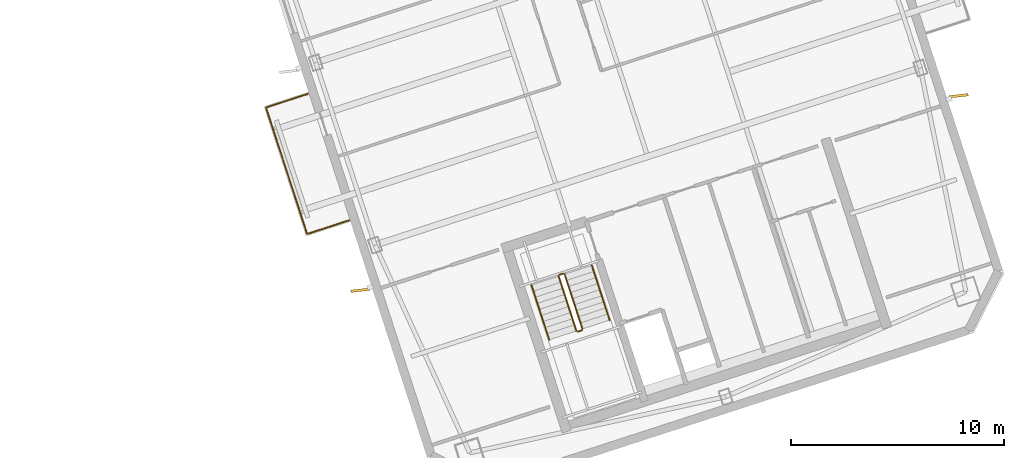
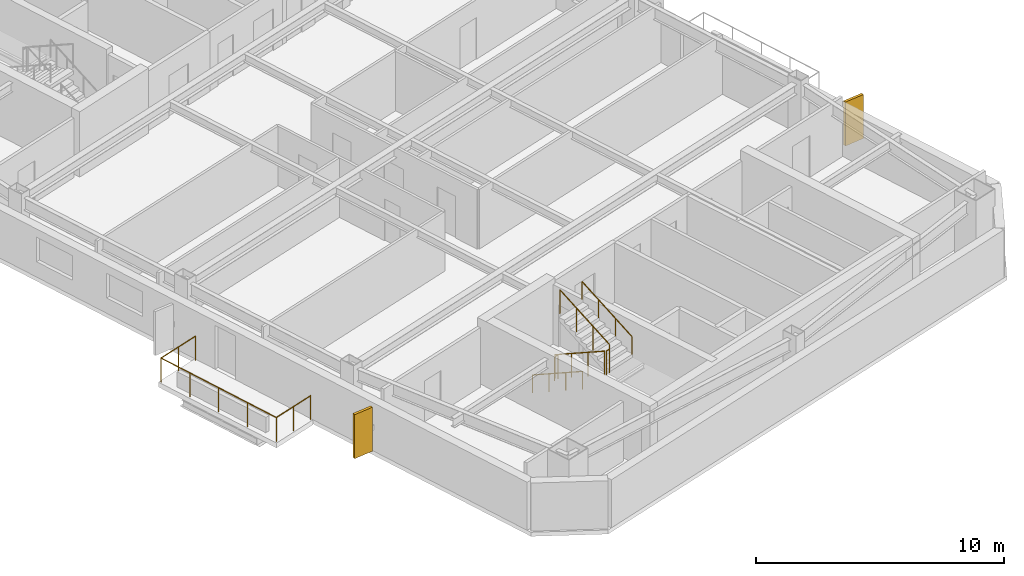
# One storey, part 17 of 18: 7 railings, 2 shading devices.
"""IFC4 building model written with IfcOpenShell, lengths in metres."""

from ifc_helpers import new_model, si_unit, direction, frame, origin, origin_2d, place, context, subcontext, project, spatial, rectangle, circle, extrude, material, layer, layer_set, type_object, element, save


model = new_model("IFC4")

# Units and contexts
model_context = context("Model", 3, precision=1e-05, world=origin(), true_north=direction((0.0, 1.0)))
body_context = subcontext(model_context, "Body", "Model", "MODEL_VIEW")
ifc_project = project(units=[si_unit("LENGTHUNIT", "METRE"), si_unit("AREAUNIT", "SQUARE_METRE"), si_unit("VOLUMEUNIT", "CUBIC_METRE"), si_unit("PLANEANGLEUNIT", "RADIAN"), si_unit("MASSUNIT", "GRAM", prefix="KILO")], contexts=[model_context])

# Site, building, storey
site_placement = place(None, origin())
site = spatial("IfcSite", under=ifc_project, at=site_placement, CompositionType="ELEMENT")
building_placement = place(site_placement, origin())
building = spatial("IfcBuilding", under=site, at=building_placement, Name="Qiaolan Cultural Towers", CompositionType="ELEMENT")
storey_placement = place(building_placement, frame((0.0, 0.0, 237.60009765625)))
storey = spatial("IfcBuildingStorey", under=building, at=storey_placement, Name="L64", CompositionType="ELEMENT", Elevation=237.60009765625)

# Railings
ifc_material_1 = material(Name="Laminated SentryGlas & Stainless Steel S31608 Balustrade", Category="steel")
railing_type_1 = type_object("IfcRailingType", Name="GRD-TERR-1200", PredefinedType="BALUSTRADE", material=ifc_material_1)
railing_1_placement = place(storey_placement, frame((78.771240234375, 22.444580078125, 0.0)))
element("IfcRailing", 1, at=railing_1_placement, inside=storey, type_object=railing_type_1, Name="L64 T2 Tree Balcony Guardrail W", PredefinedType="BALUSTRADE", context=body_context, shape_type="SweptSolid", body=[
    extrude(circle(Radius=0.02392578125, at=origin_2d()), frame((0.0, 0.0, 1.17578125), z_axis=(-0.951061799618, -0.309000733507, 0.0), x_axis=(0.309000733507, -0.951061799618, 0.0)), (0.0, 0.0, 1.0), 2.070068359375),
    extrude(circle(Radius=0.02392578125, at=origin_2d()), frame((-1.96875, -0.6396484375, 1.17578125), z_axis=(-0.30901175762, 0.951058217804, 0.0), x_axis=(-0.951058217804, -0.30901175762, 0.0)), (0.0, 0.0, 1.0), 6.239990234375),
    extrude(circle(Radius=0.02392578125, at=origin_2d()), frame((-3.89697265625, 5.294921875, 1.17578125), z_axis=(0.951061799618, 0.309000733507, 0.0), x_axis=(-0.309000733507, 0.951061799618, 0.0)), (0.0, 0.0, 1.0), 2.070068359375),
    extrude(circle(Radius=0.02099609375, at=origin_2d()), origin(), (0.0, 0.0, 1.0), 1.15185546875),
    extrude(circle(Radius=0.02099609375, at=origin_2d()), frame((-0.984375, -0.31982421875, 0.0)), (0.0, 0.0, 1.0), 1.15185546875),
    extrude(circle(Radius=0.02099609375, at=origin_2d()), frame((-1.96875, -0.6396484375, 0.0)), (0.0, 0.0, 1.0), 1.15185546875),
    extrude(circle(Radius=0.02099609375, at=origin_2d()), frame((-2.45068359375, 0.843994140625, 0.0)), (0.0, 0.0, 1.0), 1.15185546875),
    extrude(circle(Radius=0.02099609375, at=origin_2d()), frame((-2.932861328125, 2.32763671875, 0.0)), (0.0, 0.0, 1.0), 1.15185546875),
    extrude(circle(Radius=0.02099609375, at=origin_2d()), frame((-3.4150390625, 3.811279296875, 0.0)), (0.0, 0.0, 1.0), 1.15185546875),
    extrude(circle(Radius=0.02099609375, at=origin_2d()), frame((-3.89697265625, 5.294921875, 0.0)), (0.0, 0.0, 1.0), 1.15185546875),
    extrude(circle(Radius=0.02099609375, at=origin_2d()), frame((-2.91259765625, 5.61474609375, 0.0)), (0.0, 0.0, 1.0), 1.15185546875),
    extrude(circle(Radius=0.02099609375, at=origin_2d()), frame((-1.92822265625, 5.9345703125, 0.0)), (0.0, 0.0, 1.0), 1.15185546875),
])
ifc_material_2 = material(Name="Galvanized Painted Steel Stair Guardrail", Category="steel")
railing_type_2 = type_object("IfcRailingType", Name="RL-STAIR-GRD", PredefinedType="GUARDRAIL", material=ifc_material_2)
railing_2_placement = place(storey_placement, frame((88.60205078125, 19.82421875, 0.159912109375)))
element("IfcRailing", 2, at=railing_2_placement, inside=storey, type_object=railing_type_2, Name="L64 ST-E1 stair guard 1", PredefinedType="GUARDRAIL", context=body_context, shape_type="SweptSolid", body=[
    extrude(circle(Radius=0.02392578125, at=origin_2d()), frame((0.0, 0.0, 1.17578125), z_axis=(0.272701475514, -0.839167384275, 0.470565623926), x_axis=(0.951043371037, 0.309057448393, 0.0)), (0.0, 0.0, 1.0), 3.06005859375),
    extrude(circle(Radius=0.02099609375, at=origin_2d()), origin(), (0.0, 0.0, 1.0), 1.15185546875),
    extrude(circle(Radius=0.02099609375, at=origin_2d()), frame((0.278076171875, -0.85595703125, 0.47998046875)), (0.0, 0.0, 1.0), 1.15185546875),
    extrude(circle(Radius=0.02099609375, at=origin_2d()), frame((0.556396484375, -1.7119140625, 0.9599609375)), (0.0, 0.0, 1.0), 1.15185546875),
    extrude(circle(Radius=0.02099609375, at=origin_2d()), frame((0.83447265625, -2.56787109375, 1.43994140625)), (0.0, 0.0, 1.0), 1.15185546875),
])
railing_3_placement = place(storey_placement, frame((89.49951171875, 17.224365234375, 1.599853515625)))
element("IfcRailing", 3, at=railing_3_placement, inside=storey, type_object=railing_type_2, Name="L64 ST-E1 stair guard 2", PredefinedType="GUARDRAIL", context=body_context, shape_type="SweptSolid", body=[
    extrude(circle(Radius=0.02392578125, at=origin_2d()), frame((0.0, 0.0, 1.17578125), z_axis=(0.951096855055, 0.308892816854, 0.0), x_axis=(-0.308892816854, 0.951096855055, 0.0)), (0.0, 0.0, 1.0), 0.199951171875),
    extrude(circle(Radius=0.02099609375, at=origin_2d()), origin(), (0.0, 0.0, 1.0), 1.15185546875),
    extrude(circle(Radius=0.02099609375, at=origin_2d()), frame((0.190185546875, 0.061767578125, 0.0)), (0.0, 0.0, 1.0), 1.15185546875),
])
railing_4_placement = place(storey_placement, frame((89.721923828125, 17.34912109375, 1.760009765625)))
element("IfcRailing", 4, at=railing_4_placement, inside=storey, type_object=railing_type_2, Name="L64 ST-E1 stair guard 3", PredefinedType="GUARDRAIL", context=body_context, shape_type="SweptSolid", body=[
    extrude(circle(Radius=0.02392578125, at=origin_2d()), frame((0.0, 0.0, 1.17578125), z_axis=(-0.272701475514, 0.839167384275, 0.470565623926), x_axis=(-0.951043371037, -0.309057448393, 0.0)), (0.0, 0.0, 1.0), 3.06005859375),
    extrude(circle(Radius=0.02099609375, at=origin_2d()), origin(), (0.0, 0.0, 1.0), 1.15185546875),
    extrude(circle(Radius=0.02099609375, at=origin_2d()), frame((-0.278076171875, 0.85595703125, 0.47998046875)), (0.0, 0.0, 1.0), 1.15185546875),
    extrude(circle(Radius=0.02099609375, at=origin_2d()), frame((-0.556396484375, 1.7119140625, 0.9599609375)), (0.0, 0.0, 1.0), 1.15185546875),
    extrude(circle(Radius=0.02099609375, at=origin_2d()), frame((-0.83447265625, 2.56787109375, 1.43994140625)), (0.0, 0.0, 1.0), 1.15185546875),
])
railing_5_placement = place(storey_placement, frame((88.63427734375, 19.88720703125, 0.0)))
element("IfcRailing", 5, at=railing_5_placement, inside=storey, type_object=railing_type_2, Name="L64 ST-E1 stair guard 4", PredefinedType="GUARDRAIL", context=body_context, shape_type="SweptSolid", body=[
    extrude(circle(Radius=0.02392578125, at=origin_2d()), frame((0.0, 0.0, 1.17578125), z_axis=(0.951096855055, 0.308892816854, 0.0), x_axis=(-0.308892816854, 0.951096855055, 0.0)), (0.0, 0.0, 1.0), 0.199951171875),
    extrude(circle(Radius=0.02099609375, at=origin_2d()), origin(), (0.0, 0.0, 1.0), 1.15185546875),
    extrude(circle(Radius=0.02099609375, at=origin_2d()), frame((0.190185546875, 0.061767578125, 0.0)), (0.0, 0.0, 1.0), 1.15185546875),
])
ifc_material_3 = material(Name="Stainless Steel S30408 Tubular Handrail", Category="steel")
railing_type_3 = type_object("IfcRailingType", Name="RL-STAIR-HR", PredefinedType="HANDRAIL", material=ifc_material_3)
railing_6_placement = place(storey_placement, frame((87.32763671875, 19.41015625, 0.159912109375)))
element("IfcRailing", 6, at=railing_6_placement, inside=storey, type_object=railing_type_3, Name="L64 ST-E1 stair handrail 1", PredefinedType="HANDRAIL", context=body_context, shape_type="SweptSolid", body=[
    extrude(circle(Radius=0.02392578125, at=origin_2d()), frame((0.0, 0.0, 0.8759765625), z_axis=(0.272701475514, -0.839167384275, 0.470565623926), x_axis=(0.951043371037, 0.309057448393, 0.0)), (0.0, 0.0, 1.0), 3.06005859375),
    extrude(circle(Radius=0.02099609375, at=origin_2d()), origin(), (0.0, 0.0, 1.0), 0.851806640625),
    extrude(circle(Radius=0.02099609375, at=origin_2d()), frame((0.278076171875, -0.85595703125, 0.47998046875)), (0.0, 0.0, 1.0), 0.851806640625),
    extrude(circle(Radius=0.02099609375, at=origin_2d()), frame((0.556396484375, -1.7119140625, 0.9599609375)), (0.0, 0.0, 1.0), 0.851806640625),
    extrude(circle(Radius=0.02099609375, at=origin_2d()), frame((0.83447265625, -2.56787109375, 1.43994140625)), (0.0, 0.0, 1.0), 0.851806640625),
])
railing_7_placement = place(storey_placement, frame((90.996337890625, 17.76318359375, 1.760009765625)))
element("IfcRailing", 7, at=railing_7_placement, inside=storey, type_object=railing_type_3, Name="L64 ST-E1 stair handrail 2", PredefinedType="HANDRAIL", context=body_context, shape_type="SweptSolid", body=[
    extrude(circle(Radius=0.02392578125, at=origin_2d()), frame((0.0, 0.0, 0.8759765625), z_axis=(-0.272701475514, 0.839167384275, 0.470565623926), x_axis=(-0.951043371037, -0.309057448393, 0.0)), (0.0, 0.0, 1.0), 3.06005859375),
    extrude(circle(Radius=0.02099609375, at=origin_2d()), origin(), (0.0, 0.0, 1.0), 0.851806640625),
    extrude(circle(Radius=0.02099609375, at=origin_2d()), frame((-0.278076171875, 0.85595703125, 0.47998046875)), (0.0, 0.0, 1.0), 0.851806640625),
    extrude(circle(Radius=0.02099609375, at=origin_2d()), frame((-0.556396484375, 1.7119140625, 0.9599609375)), (0.0, 0.0, 1.0), 0.851806640625),
    extrude(circle(Radius=0.02099609375, at=origin_2d()), frame((-0.83447265625, 2.56787109375, 1.43994140625)), (0.0, 0.0, 1.0), 0.851806640625),
])

# Shading devices
ifc_material_4 = material(Name="Light Limestone Precast Vertical Fin", Category="masonry")
ifc_layer = layer(ifc_material_4, 0.1201171875)
ifc_layer_set = layer_set([ifc_layer], Name="Light Limestone Precast Vertical Fin")
shading_device_type = type_object("IfcShadingDeviceType", Name="SHD-FIN-WHITE", PredefinedType="USERDEFINED", material=ifc_layer_set)
for number, where, z_axis, x_axis, name in (
    (8, (79.2998046875, 19.16748046875, 0.10009765625), (0.0, 0.0, 1.0), (0.993553402645, 0.113365056754, 0.0), "L64 T2 Expressive Precast Vertical Fin W1"),
    (9, (107.375, 28.289794921875, 0.10009765625), (0.0, 0.0, 1.0), (0.993553402645, 0.113365056754, 0.0), "L64 T2 Expressive Precast Vertical Fin E1"),
):
    element("IfcShadingDevice", number, at=place(storey_placement, frame(where, z_axis=z_axis, x_axis=x_axis)), inside=storey, type_object=shading_device_type, Name=name, ObjectType="FIN", PredefinedType="USERDEFINED", context=body_context, shape_type="SweptSolid", body=[
        extrude(rectangle(XDim=0.89990234375, YDim=0.1201171875, at=origin_2d()), origin(), (0.0, 0.0, 1.0), 2.159912109375),
    ])

save(model, "model.ifc")
